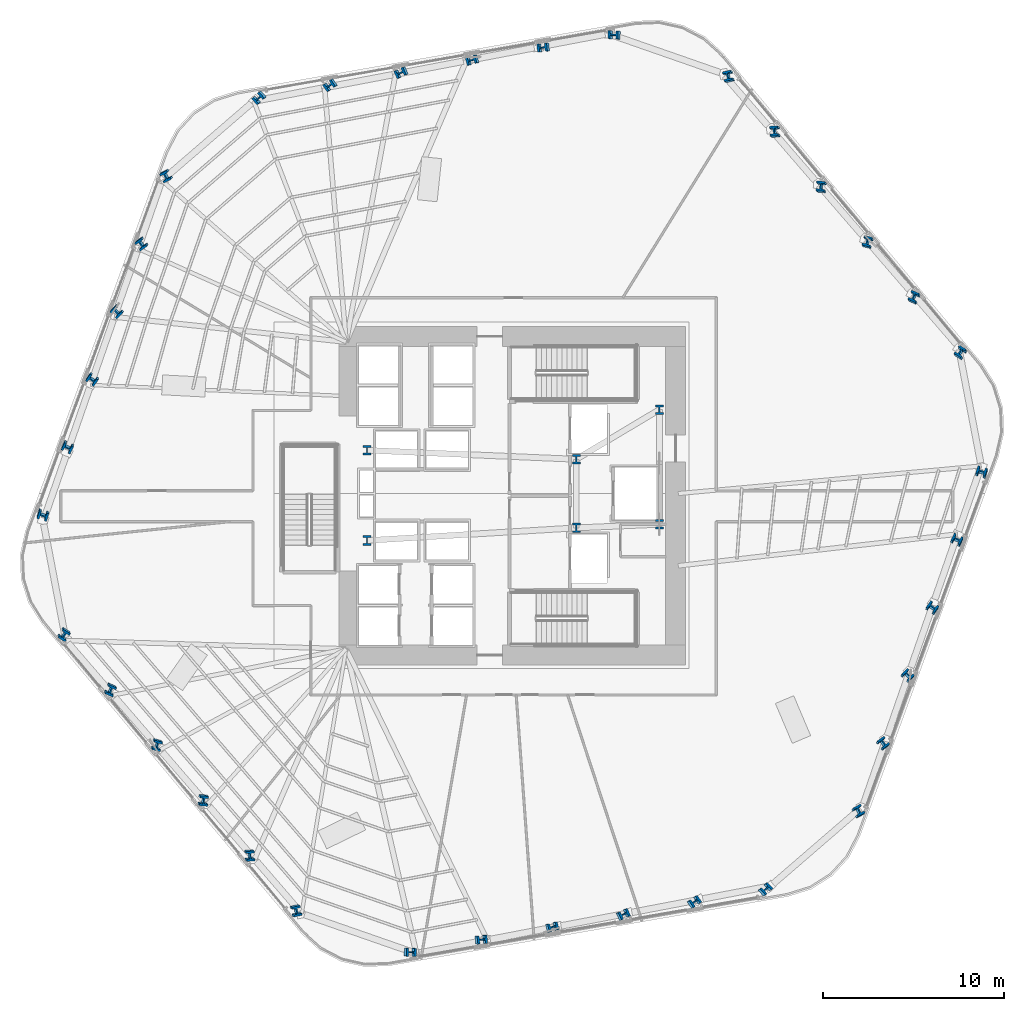
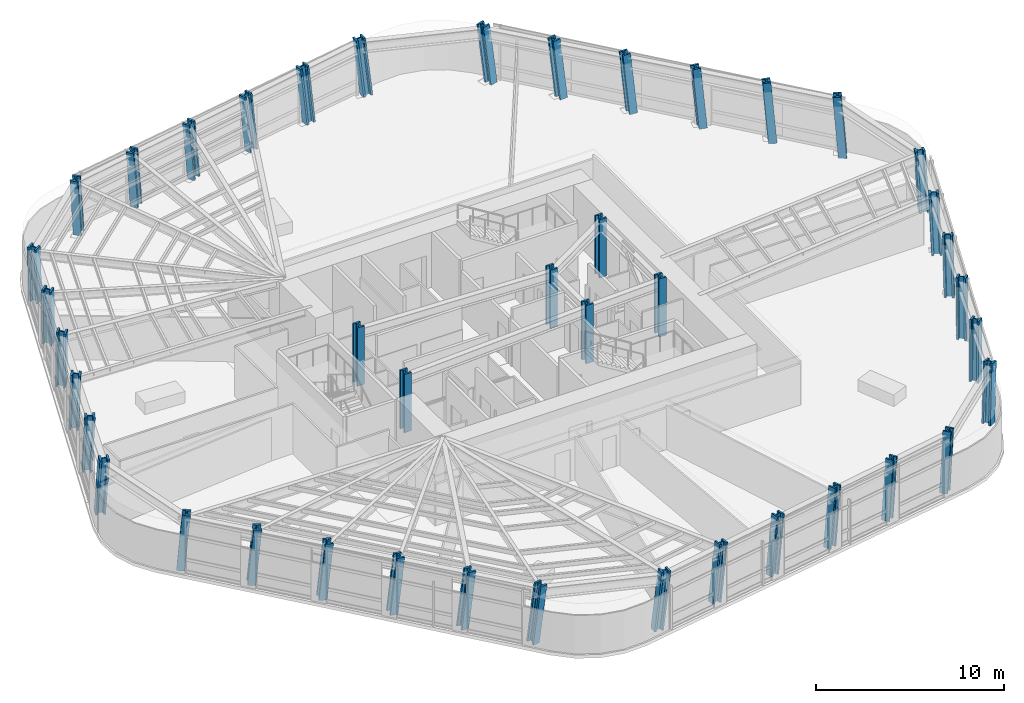
# One storey, part 1 of 16: 42 columns.
"""IFC4 building model written with IfcOpenShell, lengths in metres."""

import ifcopenshell
import ifcopenshell.guid

model = None  # the IFC model being written
_history = None  # IfcOwnerHistory: only IFC2X3 demands one
_inside = {}  # id of a spatial element -> (the spatial element, [elements in it])
_under = {}  # id of a project, library or spatial element -> (it, [spatial elements below it])
_declared = {}  # id of a project -> (the project, [libraries it declares])
_typed = {}  # id of a type object -> (the type object, [elements of that type])
_made_of = {}  # id of a material, layer set ... -> (it, [elements and type objects made of it])


def new_model(schema):
    """Start an empty IFC model of exactly this schema.

    Asked for "IFC4X3", IfcOpenShell would pick the latest addendum, in which some entities
    have other attributes; the version numbers below select the first issue.
    IFC2X3 requires an IfcOwnerHistory on every rooted entity: one is made here for all.
    """
    global model, _history
    if schema == "IFC4X3":
        model = ifcopenshell.file(schema_version=(4, 3, 0, 0))
    else:
        model = ifcopenshell.file(schema=schema)
    _inside.clear()
    _under.clear()
    _declared.clear()
    _typed.clear()
    _made_of.clear()
    _history = None
    if model.schema == "IFC2X3":
        org = make("IfcOrganization", Name="unknown")
        user = make(
            "IfcPersonAndOrganization",
            ThePerson=make("IfcPerson", FamilyName="unknown"),
            TheOrganization=org,
        )
        app = make(
            "IfcApplication",
            ApplicationDeveloper=org,
            Version="unknown",
            ApplicationFullName="unknown",
            ApplicationIdentifier="unknown",
        )
        _history = make(
            "IfcOwnerHistory",
            OwningUser=user,
            OwningApplication=app,
            ChangeAction="ADDED",
            CreationDate=0,
        )
    return model


def make(cls, **values):
    """One entity of the class cls with the attributes given. An attribute that is None is left unset."""
    return model.create_entity(
        cls, **{name: value for name, value in values.items() if value is not None}
    )


def rooted(cls, **values):
    """An entity with a GlobalId (a new one), such as an element, a storey or a relation."""
    return make(cls, GlobalId=ifcopenshell.guid.new(), OwnerHistory=_history, **values)


def si_unit(unit_type, name, prefix=None):
    """IfcSIUnit, for example si_unit("LENGTHUNIT", "METRE", prefix="MILLI")."""
    return make("IfcSIUnit", UnitType=unit_type, Prefix=prefix, Name=name)


def assignment(units):
    """IfcUnitAssignment: the units of a project."""
    return None if units is None else make("IfcUnitAssignment", Units=units)


def point(xyz):
    """IfcCartesianPoint."""
    return None if xyz is None else make("IfcCartesianPoint", Coordinates=xyz)


def direction(xyz):
    """IfcDirection."""
    return None if xyz is None else make("IfcDirection", DirectionRatios=xyz)


def frame(location, z_axis=None, x_axis=None):
    """IfcAxis2Placement3D, a coordinate frame: its origin and axes. An axis left out is left unset."""
    return make(
        "IfcAxis2Placement3D",
        Location=point(location),
        Axis=direction(z_axis),
        RefDirection=direction(x_axis),
    )


def frame_2d(location, x_axis=None):
    """IfcAxis2Placement2D, a coordinate frame in the plane: its origin and x axis."""
    return make(
        "IfcAxis2Placement2D", Location=point(location), RefDirection=direction(x_axis)
    )


def origin():
    """The frame at (0, 0, 0) with its axes left unset."""
    return frame((0.0, 0.0, 0.0))


def origin_2d():
    """The frame at (0, 0) in the plane with its x axis left unset."""
    return frame_2d((0.0, 0.0))


def place(relative_to, where):
    """IfcLocalPlacement: puts the frame where relative to a parent placement (None: the world)."""
    return make(
        "IfcLocalPlacement", PlacementRelTo=relative_to, RelativePlacement=where
    )


def context(
    kind, dimensions, precision=None, world=None, true_north=None, identifier=None
):
    """IfcGeometricRepresentationContext, for example the 3D "Model" context."""
    return make(
        "IfcGeometricRepresentationContext",
        ContextIdentifier=identifier,
        ContextType=kind,
        CoordinateSpaceDimension=dimensions,
        Precision=precision,
        WorldCoordinateSystem=world,
        TrueNorth=true_north,
    )


def subcontext(parent, identifier, kind, view, scale=None):
    """IfcGeometricRepresentationSubContext, for example "Body" below "Model"."""
    return make(
        "IfcGeometricRepresentationSubContext",
        ContextIdentifier=identifier,
        ContextType=kind,
        ParentContext=parent,
        TargetScale=scale,
        TargetView=view,
    )


def project(units=None, contexts=None):
    """IfcProject with its units and contexts."""
    return rooted(
        "IfcProject",
        Name="project",
        RepresentationContexts=contexts,
        UnitsInContext=assignment(units),
    )


def spatial(cls, under=None, at=None, **own):
    """A site, building, storey or space (cls), placed at a placement, below another one or the project."""
    s = rooted(cls, ObjectPlacement=at, **own)
    if under is not None:
        _under.setdefault(under.id(), (under, []))[1].append(s)
    return s


def profile(cls, at=None, kind="AREA", **sizes):
    """A parametric profile (cls). Its sizes go by their IFC names, for example OverallWidth=200.0."""
    return make(cls, ProfileType=kind, Position=at, **sizes)


def i_section(**sizes):
    """IfcIShapeProfileDef."""
    return profile("IfcIShapeProfileDef", **sizes)


def extrude(swept, where, along, depth):
    """IfcExtrudedAreaSolid: the profile swept, set in the frame where, extruded along a direction by depth."""
    return make(
        "IfcExtrudedAreaSolid",
        SweptArea=swept,
        Position=where,
        ExtrudedDirection=direction(along),
        Depth=depth,
    )


def shape(context_of_items, identifier, shape_type, items):
    """IfcShapeRepresentation: the items that make up one representation, for example the "Body"."""
    return make(
        "IfcShapeRepresentation",
        ContextOfItems=context_of_items,
        RepresentationIdentifier=identifier,
        RepresentationType=shape_type,
        Items=items,
    )


def material(Name=None, Category=None):
    """IfcMaterial."""
    return make("IfcMaterial", Name=Name, Category=Category)


def material_profile(
    of_material, cross_section, Name=None, Category=None, Priority=None
):
    """IfcMaterialProfile: a cross section and its material."""
    return make(
        "IfcMaterialProfile",
        Name=Name,
        Material=of_material,
        Profile=cross_section,
        Priority=Priority,
        Category=Category,
    )


def profile_set(profiles, Name=None, composite=None):
    """IfcMaterialProfileSet."""
    return make(
        "IfcMaterialProfileSet",
        Name=Name,
        MaterialProfiles=profiles,
        CompositeProfile=composite,
    )


def made_of(thing, what):
    """Note that an element or type object is made of a material, layer set ...; save() writes the relation."""
    if what is not None:
        _made_of.setdefault(what.id(), (what, []))[1].append(thing)
    return thing


def type_object(cls, material=None, **own):
    """A type object (cls), such as IfcWallType, which elements share."""
    return made_of(rooted(cls, **own), material)


def element(
    cls,
    number,
    at=None,
    inside=None,
    cuts=None,
    type_object=None,
    material=None,
    context=None,
    identifier="Body",
    shape_type=None,
    held_by="IfcProductDefinitionShape",
    body=None,
    shapes=None,
    **own,
):
    """One element of the class cls, such as IfcWall. Its Tag is "e" and its number.

    at: its placement. inside: the storey or other place that contains it. cuts: it is an
    opening in that element (IfcRelVoidsElement). A single representation is given by context,
    identifier, shape_type and body (its items); several are given by shapes. held_by: the class
    of the entity that holds the representations. save() writes the other relations.
    """
    e = rooted(cls, Tag="e%d" % number, ObjectPlacement=at, **own)
    if body is not None:
        shapes = [shape(context, identifier, shape_type, body)]
    if shapes is not None:
        e.Representation = make(held_by, Representations=shapes)
    if inside is not None:
        _inside.setdefault(inside.id(), (inside, []))[1].append(e)
    if cuts is not None:
        rooted(
            "IfcRelVoidsElement", RelatingBuildingElement=cuts, RelatedOpeningElement=e
        )
    if type_object is not None:
        _typed.setdefault(type_object.id(), (type_object, []))[1].append(e)
    return made_of(e, material)


def aggregate(whole, parts):
    """IfcRelAggregates: a whole, such as a stair, and the parts it consists of."""
    return rooted("IfcRelAggregates", RelatingObject=whole, RelatedObjects=parts)


def save(model, path):
    """Write the relations noted so far, then the file.

    IfcRelAggregates (storeys below a building ...), IfcRelContainedInSpatialStructure (elements
    in a storey), IfcRelDefinesByType, IfcRelAssociatesMaterial and IfcRelDeclares: one each for
    every whole, place, type object, material and project.
    """
    for whole, parts in _under.values():
        aggregate(whole, parts)
    for where, things in _inside.values():
        rooted(
            "IfcRelContainedInSpatialStructure",
            RelatedElements=things,
            RelatingStructure=where,
        )
    for kind, things in _typed.values():
        rooted("IfcRelDefinesByType", RelatedObjects=things, RelatingType=kind)
    for what, things in _made_of.values():
        rooted("IfcRelAssociatesMaterial", RelatedObjects=things, RelatingMaterial=what)
    for by, libraries in _declared.values():
        rooted("IfcRelDeclares", RelatingContext=by, RelatedDefinitions=libraries)
    model.write(path)


model = new_model("IFC4")

# Units and contexts
model_context = context("Model", 3, precision=1e-05, world=origin(), true_north=direction((0.0, 1.0)))
body_context = subcontext(model_context, "Body", "Model", "MODEL_VIEW")
ifc_project = project(units=[si_unit("LENGTHUNIT", "METRE"), si_unit("AREAUNIT", "SQUARE_METRE"), si_unit("VOLUMEUNIT", "CUBIC_METRE"), si_unit("PLANEANGLEUNIT", "RADIAN"), si_unit("MASSUNIT", "GRAM", prefix="KILO")], contexts=[model_context])

# Site, building, storey
site_placement = place(None, origin())
site = spatial("IfcSite", under=ifc_project, at=site_placement, CompositionType="ELEMENT")
building_placement = place(site_placement, origin())
building = spatial("IfcBuilding", under=site, at=building_placement, Name="Valkerne Bourse Tower", CompositionType="ELEMENT")
storey_placement = place(building_placement, frame((0.0, 0.0, 65.800048828125)))
storey = spatial("IfcBuildingStorey", under=building, at=storey_placement, Name="L16", CompositionType="ELEMENT", Elevation=65.800048828125)

# Columns
ifc_material = material(Name="Steel ASTM A913 Grade 65", Category="steel")
ifc_material_profile_1 = material_profile(ifc_material, i_section(OverallWidth=0.44189453125, OverallDepth=0.531005859375, WebThickness=0.06591796875, FlangeThickness=0.105712890625, FilletRadius=0.030517578125, at=origin_2d()), Name="W14X605")
ifc_profile_set_1 = profile_set([ifc_material_profile_1], Name="Steel ASTM A913 Grade 65")
column_type_1 = type_object("IfcColumnType", Name="COL-W14X605", PredefinedType="COLUMN", material=ifc_profile_set_1)
for number, where, z_axis, x_axis, name in (
    (1, (38.75, 24.39990234375, 0.0048828125), (0.0, 0.0, 1.0), (1.0, 0.0, 0.0), "L16 Core Frame Column CC-SW"),
    (2, (38.75, 29.39990234375, 0.0048828125), (0.0, 0.0, 1.0), (1.0, 0.0, 0.0), "L16 Core Frame Column CC-NW"),
    (3, (50.35009765625, 25.10009765625, 0.0048828125), (0.0, 0.0, 1.0), (1.0, 0.0, 0.0), "L16 Core Frame Column CC-CE1"),
    (4, (50.35009765625, 28.89990234375, 0.0048828125), (0.0, 0.0, 1.0), (1.0, 0.0, 0.0), "L16 Core Frame Column CC-CE2"),
    (5, (54.949951171875, 25.300048828125, 0.0048828125), (0.0, 0.0, 1.0), (1.0, 0.0, 0.0), "L16 Core Frame Column CC-SE"),
    (6, (54.949951171875, 31.64990234375, 0.0048828125), (0.0, 0.0, 1.0), (1.0, 0.0, 0.0), "L16 Core Frame Column CC-NE"),
):
    element("IfcColumn", number, at=place(storey_placement, frame(where, z_axis=z_axis, x_axis=x_axis)), inside=storey, type_object=column_type_1, Name=name, PredefinedType="COLUMN", context=body_context, shape_type="SweptSolid", body=[
        extrude(i_section(OverallWidth=0.44189453125, OverallDepth=0.531005859375, WebThickness=0.06591796875, FlangeThickness=0.105712890625, FilletRadius=0.030517578125, at=origin_2d()), origin(), (0.0, 0.0, 1.0), 3.795166015625),
    ])
ifc_material_profile_2 = material_profile(ifc_material, i_section(OverallWidth=0.44970703125, OverallDepth=0.548583984375, WebThickness=0.072021484375, FlangeThickness=0.11474609375, FilletRadius=0.030517578125, at=origin_2d()), Name="W14X665")
ifc_profile_set_2 = profile_set([ifc_material_profile_2], Name="Steel ASTM A913 Grade 65")
column_type_2 = type_object("IfcColumnType", Name="COL-W14X665", PredefinedType="COLUMN", material=ifc_profile_set_2)
column_1_placement = place(storey_placement, frame((71.644775390625, 34.75146484375, 0.010009765625), z_axis=(-0.032804141808, 0.102392575702, 0.994203021883), x_axis=(0.843571127597, -0.530644887041, 0.082484886746)))
element("IfcColumn", 7, at=column_1_placement, inside=storey, type_object=column_type_2, Name="L16 Helical Perimeter Tube Column F1-C1", PredefinedType="COLUMN", context=body_context, shape_type="SweptSolid", body=[
    extrude(i_section(OverallWidth=0.44970703125, OverallDepth=0.548583984375, WebThickness=0.072021484375, FlangeThickness=0.11474609375, FilletRadius=0.030517578125, at=origin_2d()), origin(), (0.0, 0.0, 1.0), 3.802978515625),
])
column_2_placement = place(storey_placement, frame((69.08154296875, 37.817138671875, 0.010009765625), z_axis=(-0.045411460215, 0.091722157265, 0.994748634152), x_axis=(0.913453119736, -0.399297289722, 0.078517975423)))
element("IfcColumn", 8, at=column_2_placement, inside=storey, type_object=column_type_2, Name="L16 Helical Perimeter Tube Column F1-C2", PredefinedType="COLUMN", context=body_context, shape_type="SweptSolid", body=[
    extrude(i_section(OverallWidth=0.44970703125, OverallDepth=0.548583984375, WebThickness=0.072021484375, FlangeThickness=0.11474609375, FilletRadius=0.030517578125, at=origin_2d()), origin(), (0.0, 0.0, 1.0), 3.801025390625),
])
column_3_placement = place(storey_placement, frame((66.518310546875, 40.8828125, 0.010009765625), z_axis=(-0.058016755536, 0.081017861274, 0.99502269433), x_axis=(0.965952416288, -0.24716755291, 0.076446911353)))
element("IfcColumn", 9, at=column_3_placement, inside=storey, type_object=column_type_2, Name="L16 Helical Perimeter Tube Column F1-C3", PredefinedType="COLUMN", context=body_context, shape_type="SweptSolid", body=[
    extrude(i_section(OverallWidth=0.44970703125, OverallDepth=0.548583984375, WebThickness=0.072021484375, FlangeThickness=0.11474609375, FilletRadius=0.030517578125, at=origin_2d()), origin(), (0.0, 0.0, 1.0), 3.7998046875),
])
column_4_placement = place(storey_placement, frame((63.955078125, 43.9482421875, 0.010009765625), z_axis=(-0.070609350811, 0.070352355903, 0.995020032762), x_axis=(0.993495085797, -0.084381674238, 0.076467297255)))
element("IfcColumn", 10, at=column_4_placement, inside=storey, type_object=column_type_2, Name="L16 Helical Perimeter Tube Column F1-C4", PredefinedType="COLUMN", context=body_context, shape_type="SweptSolid", body=[
    extrude(i_section(OverallWidth=0.44970703125, OverallDepth=0.548583984375, WebThickness=0.072021484375, FlangeThickness=0.11474609375, FilletRadius=0.030517578125, at=origin_2d()), origin(), (0.0, 0.0, 1.0), 3.800048828125),
])
column_5_placement = place(storey_placement, frame((61.391845703125, 47.013916015625, 0.010009765625), z_axis=(-0.08317954871, 0.0596066573, 0.994750324997), x_axis=(0.993944754219, 0.076881291049, 0.078505366993)))
element("IfcColumn", 11, at=column_5_placement, inside=storey, type_object=column_type_2, Name="L16 Helical Perimeter Tube Column F1-C5", PredefinedType="COLUMN", context=body_context, shape_type="SweptSolid", body=[
    extrude(i_section(OverallWidth=0.44970703125, OverallDepth=0.548583984375, WebThickness=0.072021484375, FlangeThickness=0.11474609375, FilletRadius=0.030517578125, at=origin_2d()), origin(), (0.0, 0.0, 1.0), 3.801025390625),
])
for number, where, z_axis, x_axis, name in (
    (12, (58.82861328125, 50.079345703125, 0.010009765625), (-0.095716474855, 0.048917474071, 0.99420593298), (0.971075348442, 0.224081051977, 0.082464233416), "L16 Helical Perimeter Tube Column F1-C6"),
    (13, (52.509521484375, 52.391845703125, 0.010009765625), (-0.105088666217, 0.022789539711, 0.994201694382), (0.041728769965, 0.998957913124, -0.018487767981), "L16 Helical Perimeter Tube Column F2-C1"),
):
    element("IfcColumn", number, at=place(storey_placement, frame(where, z_axis=z_axis, x_axis=x_axis)), inside=storey, type_object=column_type_2, Name=name, PredefinedType="COLUMN", context=body_context, shape_type="SweptSolid", body=[
        extrude(i_section(OverallWidth=0.44970703125, OverallDepth=0.548583984375, WebThickness=0.072021484375, FlangeThickness=0.11474609375, FilletRadius=0.030517578125, at=origin_2d()), origin(), (0.0, 0.0, 1.0), 3.802978515625),
    ])
column_6_placement = place(storey_placement, frame((48.572998046875, 51.704833984375, 0.010009765625), z_axis=(-0.102191284237, 0.006551546821, 0.994743192317), x_axis=(-0.107648330463, 0.994033135953, -0.017605725682)))
element("IfcColumn", 14, at=column_6_placement, inside=storey, type_object=column_type_2, Name="L16 Helical Perimeter Tube Column F2-C2", PredefinedType="COLUMN", context=body_context, shape_type="SweptSolid", body=[
    extrude(i_section(OverallWidth=0.44970703125, OverallDepth=0.548583984375, WebThickness=0.072021484375, FlangeThickness=0.11474609375, FilletRadius=0.030517578125, at=origin_2d()), origin(), (0.0, 0.0, 1.0), 3.801025390625),
])
for number, where, z_axis, x_axis, name in (
    (15, (44.636474609375, 51.017822265625, 0.010009765625), (-0.099200052482, -0.009701559537, 0.995020215538), (-0.266144847189, 0.963780707585, -0.017136744186), "L16 Helical Perimeter Tube Column F2-C3"),
    (16, (40.699951171875, 50.330810546875, 0.010009765625), (-0.096244514559, -0.025956464541, 0.995019223616), (-0.421683503198, 0.906581103255, -0.017138446573), "L16 Helical Perimeter Tube Column F2-C4"),
):
    element("IfcColumn", number, at=place(storey_placement, frame(where, z_axis=z_axis, x_axis=x_axis)), inside=storey, type_object=column_type_2, Name=name, PredefinedType="COLUMN", context=body_context, shape_type="SweptSolid", body=[
        extrude(i_section(OverallWidth=0.44970703125, OverallDepth=0.548583984375, WebThickness=0.072021484375, FlangeThickness=0.11474609375, FilletRadius=0.030517578125, at=origin_2d()), origin(), (0.0, 0.0, 1.0), 3.800048828125),
    ])
column_7_placement = place(storey_placement, frame((36.763427734375, 49.643798828125, 0.010009765625), z_axis=(-0.093263529132, -0.04219982, 0.994746746326), x_axis=(-0.561921019673, 0.827003636678, -0.017599788937)))
element("IfcColumn", 17, at=column_7_placement, inside=storey, type_object=column_type_2, Name="L16 Helical Perimeter Tube Column F2-C5", PredefinedType="COLUMN", context=body_context, shape_type="SweptSolid", body=[
    extrude(i_section(OverallWidth=0.44970703125, OverallDepth=0.548583984375, WebThickness=0.072021484375, FlangeThickness=0.11474609375, FilletRadius=0.030517578125, at=origin_2d()), origin(), (0.0, 0.0, 1.0), 3.801025390625),
])
for number, where, z_axis, x_axis, name in (
    (18, (32.826904296875, 48.956787109375, 0.010009765625), (-0.090195902447, -0.058418698382, 0.994209210811), (-0.67899741438, 0.733908138319, -0.018475815932), "L16 Helical Perimeter Tube Column F2-C6"),
    (19, (27.664794921875, 44.640380859375, 0.010009765625), (-0.072284615575, -0.079602951433, 0.99420234584), (-0.882069746757, -0.460170322304, -0.100976414703), "L16 Helical Perimeter Tube Column F3-C1"),
):
    element("IfcColumn", number, at=place(storey_placement, frame(where, z_axis=z_axis, x_axis=x_axis)), inside=storey, type_object=column_type_2, Name=name, PredefinedType="COLUMN", context=body_context, shape_type="SweptSolid", body=[
        extrude(i_section(OverallWidth=0.44970703125, OverallDepth=0.548583984375, WebThickness=0.072021484375, FlangeThickness=0.11474609375, FilletRadius=0.030517578125, at=origin_2d()), origin(), (0.0, 0.0, 1.0), 3.802978515625),
    ])
column_8_placement = place(storey_placement, frame((26.29150390625, 40.8876953125, 0.010009765625), z_axis=(-0.056780301197, -0.085170451795, 0.994747199814), x_axis=(-0.804121649511, -0.586641149197, -0.096127700781)))
element("IfcColumn", 20, at=column_8_placement, inside=storey, type_object=column_type_2, Name="L16 Helical Perimeter Tube Column F3-C2", PredefinedType="COLUMN", context=body_context, shape_type="SweptSolid", body=[
    extrude(i_section(OverallWidth=0.44970703125, OverallDepth=0.548583984375, WebThickness=0.072021484375, FlangeThickness=0.11474609375, FilletRadius=0.030517578125, at=origin_2d()), origin(), (0.0, 0.0, 1.0), 3.801025390625),
])
column_9_placement = place(storey_placement, frame((24.918212890625, 37.13525390625, 0.010009765625), z_axis=(-0.041183380872, -0.090783334122, 0.995018751273), x_axis=(-0.698991288731, -0.708976130733, -0.093616367844)))
element("IfcColumn", 21, at=column_9_placement, inside=storey, type_object=column_type_2, Name="L16 Helical Perimeter Tube Column F3-C3", PredefinedType="COLUMN", context=body_context, shape_type="SweptSolid", body=[
    extrude(i_section(OverallWidth=0.44970703125, OverallDepth=0.548583984375, WebThickness=0.072021484375, FlangeThickness=0.11474609375, FilletRadius=0.030517578125, at=origin_2d()), origin(), (0.0, 0.0, 1.0), 3.800048828125),
])
column_10_placement = place(storey_placement, frame((23.544921875, 33.382568359375, 0.010009765625), z_axis=(-0.02563527503, -0.096308965588, 0.995021314255), x_axis=(-0.572448793964, -0.814581396808, -0.093592340841)))
element("IfcColumn", 22, at=column_10_placement, inside=storey, type_object=column_type_2, Name="L16 Helical Perimeter Tube Column F3-C4", PredefinedType="COLUMN", context=body_context, shape_type="SweptSolid", body=[
    extrude(i_section(OverallWidth=0.44970703125, OverallDepth=0.548583984375, WebThickness=0.072021484375, FlangeThickness=0.11474609375, FilletRadius=0.030517578125, at=origin_2d()), origin(), (0.0, 0.0, 1.0), 3.7998046875),
])
column_11_placement = place(storey_placement, frame((22.171630859375, 29.6298828125, 0.010009765625), z_axis=(-0.010084343715, -0.10180690948, 0.994753064431), x_axis=(-0.434068055706, -0.895742528767, -0.096074164967)))
element("IfcColumn", 23, at=column_11_placement, inside=storey, type_object=column_type_2, Name="L16 Helical Perimeter Tube Column F3-C5", PredefinedType="COLUMN", context=body_context, shape_type="SweptSolid", body=[
    extrude(i_section(OverallWidth=0.44970703125, OverallDepth=0.548583984375, WebThickness=0.072021484375, FlangeThickness=0.11474609375, FilletRadius=0.030517578125, at=origin_2d()), origin(), (0.0, 0.0, 1.0), 3.801025390625),
])
for number, where, z_axis, x_axis, name in (
    (24, (20.79833984375, 25.877197265625, 0.010009765625), (0.005456683916, -0.107336182446, 0.994207809534), (-0.295813176181, -0.94989889434, -0.100928961798), "L16 Helical Perimeter Tube Column F3-C6"),
    (25, (21.955078125, 19.24853515625, 0.010009765625), (0.032868268496, -0.102392359864, 0.994200926155), (0.843872168423, -0.530163705164, -0.082499752048), "L16 Helical Perimeter Tube Column F4-C1"),
):
    element("IfcColumn", number, at=place(storey_placement, frame(where, z_axis=z_axis, x_axis=x_axis)), inside=storey, type_object=column_type_2, Name=name, PredefinedType="COLUMN", context=body_context, shape_type="SweptSolid", body=[
        extrude(i_section(OverallWidth=0.44970703125, OverallDepth=0.548583984375, WebThickness=0.072021484375, FlangeThickness=0.11474609375, FilletRadius=0.030517578125, at=origin_2d()), origin(), (0.0, 0.0, 1.0), 3.802978515625),
    ])
column_12_placement = place(storey_placement, frame((24.5185546875, 16.182861328125, 0.010009765625), z_axis=(0.045411460215, -0.091722157265, 0.994748634152), x_axis=(0.913453119736, -0.399297289722, -0.078517975423)))
element("IfcColumn", 26, at=column_12_placement, inside=storey, type_object=column_type_2, Name="L16 Helical Perimeter Tube Column F4-C2", PredefinedType="COLUMN", context=body_context, shape_type="SweptSolid", body=[
    extrude(i_section(OverallWidth=0.44970703125, OverallDepth=0.548583984375, WebThickness=0.072021484375, FlangeThickness=0.11474609375, FilletRadius=0.030517578125, at=origin_2d()), origin(), (0.0, 0.0, 1.0), 3.801025390625),
])
column_13_placement = place(storey_placement, frame((27.081787109375, 13.1171875, 0.010009765625), z_axis=(0.058016755536, -0.081017861274, 0.99502269433), x_axis=(0.965952416288, -0.24716755291, -0.076446911353)))
element("IfcColumn", 27, at=column_13_placement, inside=storey, type_object=column_type_2, Name="L16 Helical Perimeter Tube Column F4-C3", PredefinedType="COLUMN", context=body_context, shape_type="SweptSolid", body=[
    extrude(i_section(OverallWidth=0.44970703125, OverallDepth=0.548583984375, WebThickness=0.072021484375, FlangeThickness=0.11474609375, FilletRadius=0.030517578125, at=origin_2d()), origin(), (0.0, 0.0, 1.0), 3.7998046875),
])
column_14_placement = place(storey_placement, frame((29.64501953125, 10.0517578125, 0.010009765625), z_axis=(0.070609350811, -0.070352355903, 0.995020032762), x_axis=(0.993495085797, -0.084381674238, -0.076467297255)))
element("IfcColumn", 28, at=column_14_placement, inside=storey, type_object=column_type_2, Name="L16 Helical Perimeter Tube Column F4-C4", PredefinedType="COLUMN", context=body_context, shape_type="SweptSolid", body=[
    extrude(i_section(OverallWidth=0.44970703125, OverallDepth=0.548583984375, WebThickness=0.072021484375, FlangeThickness=0.11474609375, FilletRadius=0.030517578125, at=origin_2d()), origin(), (0.0, 0.0, 1.0), 3.800048828125),
])
column_15_placement = place(storey_placement, frame((32.208251953125, 6.986083984375, 0.010009765625), z_axis=(0.08317954871, -0.0596066573, 0.994750324997), x_axis=(0.993944754219, 0.076881291049, -0.078505366993)))
element("IfcColumn", 29, at=column_15_placement, inside=storey, type_object=column_type_2, Name="L16 Helical Perimeter Tube Column F4-C5", PredefinedType="COLUMN", context=body_context, shape_type="SweptSolid", body=[
    extrude(i_section(OverallWidth=0.44970703125, OverallDepth=0.548583984375, WebThickness=0.072021484375, FlangeThickness=0.11474609375, FilletRadius=0.030517578125, at=origin_2d()), origin(), (0.0, 0.0, 1.0), 3.801025390625),
])
for number, where, z_axis, x_axis, name in (
    (30, (34.771484375, 3.920654296875, 0.010009765625), (0.095716474855, -0.048917474071, 0.99420593298), (0.971075348442, 0.224081051977, -0.082464233416), "L16 Helical Perimeter Tube Column F4-C6"),
    (31, (41.090576171875, 1.608154296875, 0.010009765625), (0.105025178644, -0.02278969341, 0.994208399545), (0.041854108871, 0.998952866812, 0.018477106322), "L16 Helical Perimeter Tube Column F5-C1"),
):
    element("IfcColumn", number, at=place(storey_placement, frame(where, z_axis=z_axis, x_axis=x_axis)), inside=storey, type_object=column_type_2, Name=name, PredefinedType="COLUMN", context=body_context, shape_type="SweptSolid", body=[
        extrude(i_section(OverallWidth=0.44970703125, OverallDepth=0.548583984375, WebThickness=0.072021484375, FlangeThickness=0.11474609375, FilletRadius=0.030517578125, at=origin_2d()), origin(), (0.0, 0.0, 1.0), 3.802978515625),
    ])
column_16_placement = place(storey_placement, frame((45.027099609375, 2.295166015625, 0.010009765625), z_axis=(0.102127723527, -0.006551589811, 0.994749719657), x_axis=(-0.107609533925, 0.994037529722, 0.017594820622)))
element("IfcColumn", 32, at=column_16_placement, inside=storey, type_object=column_type_2, Name="L16 Helical Perimeter Tube Column F5-C2", PredefinedType="COLUMN", context=body_context, shape_type="SweptSolid", body=[
    extrude(i_section(OverallWidth=0.44970703125, OverallDepth=0.548583984375, WebThickness=0.072021484375, FlangeThickness=0.11474609375, FilletRadius=0.030517578125, at=origin_2d()), origin(), (0.0, 0.0, 1.0), 3.801025390625),
])
for number, where, z_axis, x_axis, name in (
    (33, (48.963623046875, 2.982177734375, 0.010009765625), (0.099200052482, 0.009701559537, 0.995020215538), (-0.266144847189, 0.963780707585, 0.017136744186), "L16 Helical Perimeter Tube Column F5-C3"),
    (34, (52.900146484375, 3.669189453125, 0.010009765625), (0.096244514559, 0.025956464541, 0.995019223616), (-0.421683503198, 0.906581103255, 0.017138446573), "L16 Helical Perimeter Tube Column F5-C4"),
):
    element("IfcColumn", number, at=place(storey_placement, frame(where, z_axis=z_axis, x_axis=x_axis)), inside=storey, type_object=column_type_2, Name=name, PredefinedType="COLUMN", context=body_context, shape_type="SweptSolid", body=[
        extrude(i_section(OverallWidth=0.44970703125, OverallDepth=0.548583984375, WebThickness=0.072021484375, FlangeThickness=0.11474609375, FilletRadius=0.030517578125, at=origin_2d()), origin(), (0.0, 0.0, 1.0), 3.800048828125),
    ])
column_17_placement = place(storey_placement, frame((56.836669921875, 4.356201171875, 0.010009765625), z_axis=(0.093199856167, 0.042200072709, 0.994752703275), x_axis=(-0.562135974084, 0.82685775342, 0.017589833693)))
element("IfcColumn", 35, at=column_17_placement, inside=storey, type_object=column_type_2, Name="L16 Helical Perimeter Tube Column F5-C5", PredefinedType="COLUMN", context=body_context, shape_type="SweptSolid", body=[
    extrude(i_section(OverallWidth=0.44970703125, OverallDepth=0.548583984375, WebThickness=0.072021484375, FlangeThickness=0.11474609375, FilletRadius=0.030517578125, at=origin_2d()), origin(), (0.0, 0.0, 1.0), 3.801025390625),
])
for number, where, z_axis, x_axis, name in (
    (36, (60.773193359375, 5.043212890625, 0.010009765625), (0.090195902447, 0.058418698382, 0.994209210811), (-0.67899741438, 0.733908138319, 0.018475815932), "L16 Helical Perimeter Tube Column F5-C6"),
    (37, (65.935302734375, 9.359619140625, 0.010009765625), (0.072284615575, 0.079602951433, 0.99420234584), (-0.882069746757, -0.460170322304, 0.100976414703), "L16 Helical Perimeter Tube Column F6-C1"),
):
    element("IfcColumn", number, at=place(storey_placement, frame(where, z_axis=z_axis, x_axis=x_axis)), inside=storey, type_object=column_type_2, Name=name, PredefinedType="COLUMN", context=body_context, shape_type="SweptSolid", body=[
        extrude(i_section(OverallWidth=0.44970703125, OverallDepth=0.548583984375, WebThickness=0.072021484375, FlangeThickness=0.11474609375, FilletRadius=0.030517578125, at=origin_2d()), origin(), (0.0, 0.0, 1.0), 3.802978515625),
    ])
column_18_placement = place(storey_placement, frame((67.30859375, 13.1123046875, 0.010009765625), z_axis=(0.056716276818, 0.085170762243, 0.994750825686), x_axis=(-0.803817033814, -0.587063883244, 0.096094605155)))
element("IfcColumn", 38, at=column_18_placement, inside=storey, type_object=column_type_2, Name="L16 Helical Perimeter Tube Column F6-C2", PredefinedType="COLUMN", context=body_context, shape_type="SweptSolid", body=[
    extrude(i_section(OverallWidth=0.44970703125, OverallDepth=0.548583984375, WebThickness=0.072021484375, FlangeThickness=0.11474609375, FilletRadius=0.030517578125, at=origin_2d()), origin(), (0.0, 0.0, 1.0), 3.801025390625),
])
column_19_placement = place(storey_placement, frame((68.681884765625, 16.86474609375, 0.010009765625), z_axis=(0.041183380872, 0.090783334122, 0.995018751273), x_axis=(-0.698991288731, -0.708976130733, 0.093616367844)))
element("IfcColumn", 39, at=column_19_placement, inside=storey, type_object=column_type_2, Name="L16 Helical Perimeter Tube Column F6-C3", PredefinedType="COLUMN", context=body_context, shape_type="SweptSolid", body=[
    extrude(i_section(OverallWidth=0.44970703125, OverallDepth=0.548583984375, WebThickness=0.072021484375, FlangeThickness=0.11474609375, FilletRadius=0.030517578125, at=origin_2d()), origin(), (0.0, 0.0, 1.0), 3.800048828125),
])
column_20_placement = place(storey_placement, frame((70.05517578125, 20.617431640625, 0.010009765625), z_axis=(0.02563527503, 0.096308965588, 0.995021314255), x_axis=(-0.572448793964, -0.814581396808, 0.093592340841)))
element("IfcColumn", 40, at=column_20_placement, inside=storey, type_object=column_type_2, Name="L16 Helical Perimeter Tube Column F6-C4", PredefinedType="COLUMN", context=body_context, shape_type="SweptSolid", body=[
    extrude(i_section(OverallWidth=0.44970703125, OverallDepth=0.548583984375, WebThickness=0.072021484375, FlangeThickness=0.11474609375, FilletRadius=0.030517578125, at=origin_2d()), origin(), (0.0, 0.0, 1.0), 3.7998046875),
])
column_21_placement = place(storey_placement, frame((71.428466796875, 24.3701171875, 0.010009765625), z_axis=(0.010084343715, 0.10180690948, 0.994753064431), x_axis=(-0.434068055706, -0.895742528767, 0.096074164967)))
element("IfcColumn", 41, at=column_21_placement, inside=storey, type_object=column_type_2, Name="L16 Helical Perimeter Tube Column F6-C5", PredefinedType="COLUMN", context=body_context, shape_type="SweptSolid", body=[
    extrude(i_section(OverallWidth=0.44970703125, OverallDepth=0.548583984375, WebThickness=0.072021484375, FlangeThickness=0.11474609375, FilletRadius=0.030517578125, at=origin_2d()), origin(), (0.0, 0.0, 1.0), 3.801025390625),
])
column_22_placement = place(storey_placement, frame((72.8017578125, 28.122802734375, 0.010009765625), z_axis=(-0.005520878252, 0.107336144625, 0.994207459216), x_axis=(-0.295246500872, -0.950074857094, 0.100932005036)))
element("IfcColumn", 42, at=column_22_placement, inside=storey, type_object=column_type_2, Name="L16 Helical Perimeter Tube Column F6-C6", PredefinedType="COLUMN", context=body_context, shape_type="SweptSolid", body=[
    extrude(i_section(OverallWidth=0.44970703125, OverallDepth=0.548583984375, WebThickness=0.072021484375, FlangeThickness=0.11474609375, FilletRadius=0.030517578125, at=origin_2d()), origin(), (0.0, 0.0, 1.0), 3.802978515625),
])

save(model, "model.ifc")
